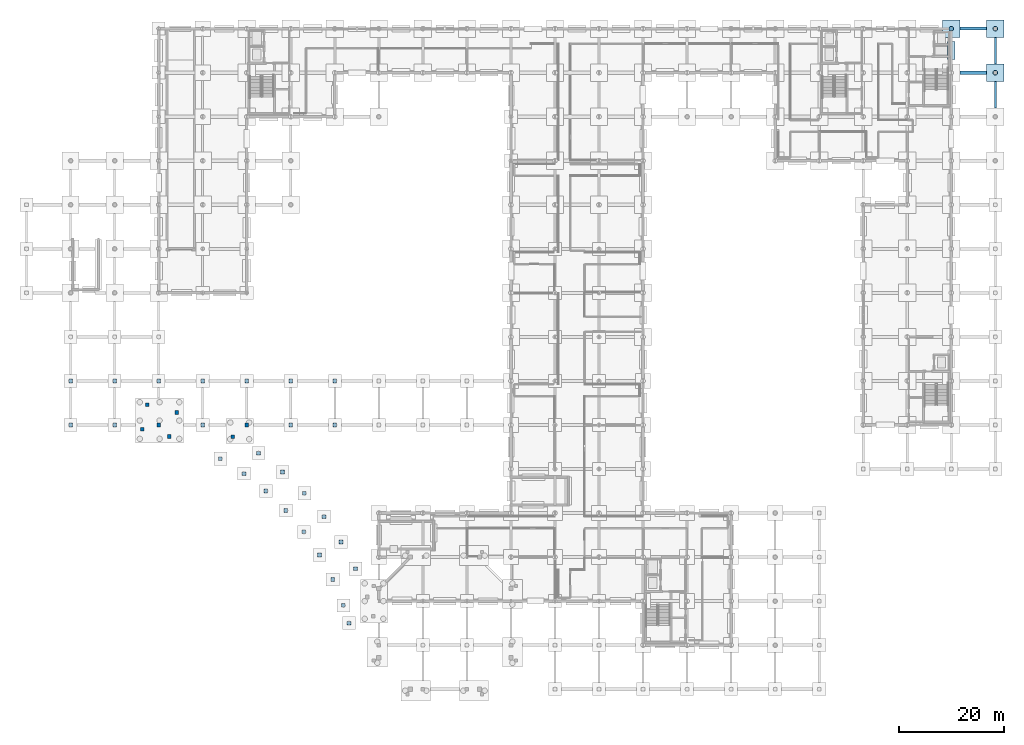
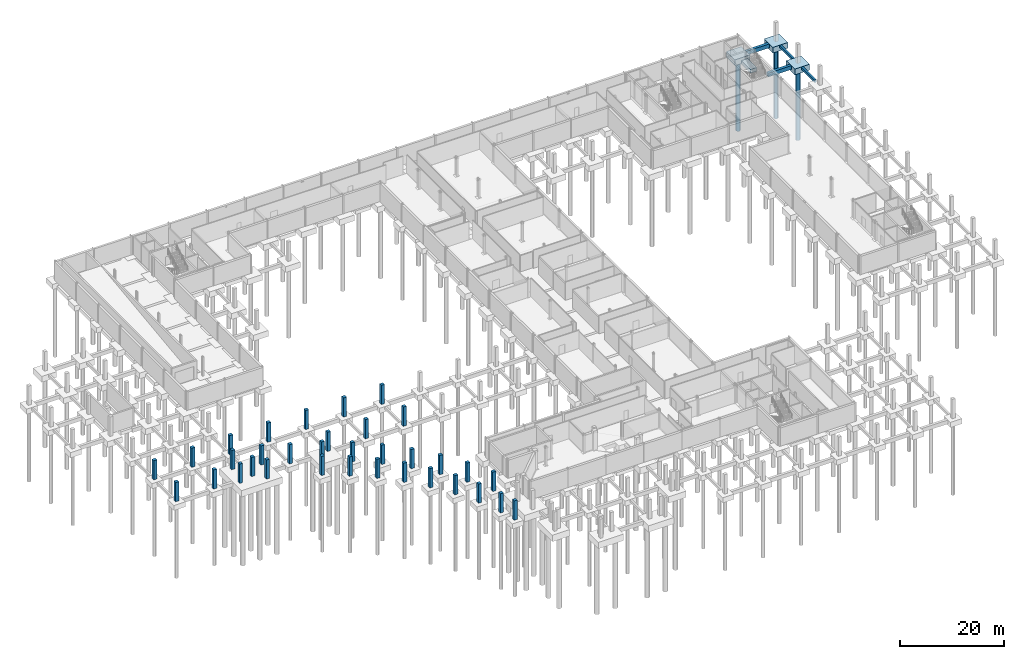
# One storey, part 8 of 43: 34 columns, 8 footings, 3 piles.
"""IFC4 building model written with IfcOpenShell, lengths in metres."""

from ifc_helpers import new_model, si_unit, direction, frame, origin, origin_2d, place, context, subcontext, project, spatial, rectangle, circle, extrude, material, layer, layer_set, material_profile, profile_set, type_object, element, save


model = new_model("IFC4")

# Units and contexts
model_context = context("Model", 3, precision=1e-05, world=origin(), true_north=direction((0.0, 1.0)))
body_context = subcontext(model_context, "Body", "Model", "MODEL_VIEW")
ifc_project = project(units=[si_unit("LENGTHUNIT", "METRE"), si_unit("AREAUNIT", "SQUARE_METRE"), si_unit("VOLUMEUNIT", "CUBIC_METRE"), si_unit("PLANEANGLEUNIT", "RADIAN"), si_unit("MASSUNIT", "GRAM", prefix="KILO")], contexts=[model_context])

# Site, building, storey
site_placement = place(None, origin())
site = spatial("IfcSite", under=ifc_project, at=site_placement, CompositionType="ELEMENT")
building_placement = place(site_placement, origin())
building = spatial("IfcBuilding", under=site, at=building_placement, Name="Mersafa Astral City Hall", CompositionType="ELEMENT")
storey_placement = place(building_placement, frame((0.0, 0.0, -4.5)))
storey = spatial("IfcBuildingStorey", under=building, at=storey_placement, Name="B1", CompositionType="ELEMENT", Elevation=-4.5)

# Footings
ifc_material = material(Name="Concrete C40/50", Category="concrete")
ifc_layer_1 = layer(ifc_material, 1.35009765625, Name="Concrete C40/50")
ifc_layer_set_1 = layer_set([ifc_layer_1], Name="Concrete C40/50 — STR-FTG-PC-7-330X330X1350")
footing_type_1 = type_object("IfcFootingType", Name="STR-FTG-PC-7-330X330X1350", PredefinedType="PILE_CAP", material=ifc_layer_set_1)
for number, where, z_axis, x_axis, name in (
    (1, (184.800048828125, 117.60009765625, -1.35009765625), (0.0, 0.0, 1.0), (1.0, 0.0, 0.0), "Reinforced concrete pile cap 218"),
    (2, (176.39990234375, 126.0, -1.35009765625), (0.0, 0.0, 1.0), (1.0, 0.0, 0.0), "Reinforced concrete pile cap 237"),
    (3, (184.800048828125, 126.0, -1.35009765625), (0.0, 0.0, 1.0), (1.0, 0.0, 0.0), "Reinforced concrete pile cap 238"),
):
    element("IfcFooting", number, at=place(storey_placement, frame(where, z_axis=z_axis, x_axis=x_axis)), inside=storey, type_object=footing_type_1, Name=name, PredefinedType="PILE_CAP", context=body_context, shape_type="SweptSolid", body=[
        extrude(rectangle(XDim=3.300048828125, YDim=3.300048828125, at=origin_2d()), origin(), (0.0, 0.0, 1.0), 1.35009765625),
    ])
ifc_layer_2 = layer(ifc_material, 0.85009765625, Name="Concrete C40/50")
ifc_layer_set_2 = layer_set([ifc_layer_2], Name="Concrete C40/50 — STR-FTG-STRIP-3")
footing_type_2 = type_object("IfcFootingType", Name="STR-FTG-STRIP-3", PredefinedType="STRIP_FOOTING", material=ifc_layer_set_2)
footing_placement = place(storey_placement, frame((176.39990234375, 121.800048828125, -0.85009765625), z_axis=(0.0, 0.0, 1.0), x_axis=(0.0, -1.0, 0.0)))
element("IfcFooting", 4, at=footing_placement, inside=storey, type_object=footing_type_2, Name="Retaining wall strip footing 50", PredefinedType="STRIP_FOOTING", context=body_context, shape_type="SweptSolid", body=[
    extrude(rectangle(XDim=3.4599609375, YDim=1.39990234375, at=origin_2d()), origin(), (0.0, 0.0, 1.0), 0.85009765625),
])
ifc_material_profile_1 = material_profile(ifc_material, rectangle(XDim=0.39990234375, YDim=0.60009765625, at=origin_2d()), Name="RC 400x600")
ifc_profile_set_1 = profile_set([ifc_material_profile_1], Name="Concrete C40/50")
footing_type_3 = type_object("IfcFootingType", Name="STR-FTG-TIE-400X600", PredefinedType="FOOTING_BEAM", material=ifc_profile_set_1)
for number, where, z_axis, x_axis, name in (
    (5, (184.800048828125, 110.847900390625, -0.300048828125), (0.0, 1.0, 0.0), (-1.0, 0.0, 0.0), "Reinforced concrete ground tie beam 279"),
    (6, (184.800048828125, 119.248046875, -0.300048828125), (0.0, 1.0, 0.0), (-1.0, 0.0, 0.0), "Reinforced concrete ground tie beam 280"),
):
    element("IfcFooting", number, at=place(storey_placement, frame(where, z_axis=z_axis, x_axis=x_axis)), inside=storey, type_object=footing_type_3, Name=name, PredefinedType="FOOTING_BEAM", context=body_context, shape_type="SweptSolid", body=[
        extrude(rectangle(XDim=0.39990234375, YDim=0.60009765625, at=origin_2d()), origin(), (0.0, 0.0, 1.0), 5.10400390625),
    ])
ifc_material_profile_2 = material_profile(ifc_material, rectangle(XDim=0.60009765625, YDim=0.89990234375, at=origin_2d()), Name="RC 600x900")
ifc_profile_set_2 = profile_set([ifc_material_profile_2], Name="Concrete C40/50")
footing_type_4 = type_object("IfcFootingType", Name="STR-FTG-TIE-600X900", PredefinedType="FOOTING_BEAM", material=ifc_profile_set_2)
for number, where, z_axis, x_axis, name in (
    (7, (178.048095703125, 117.60009765625, -0.449951171875), (1.0, 0.0, 0.0), (0.0, 1.0, 0.0), "Reinforced concrete ground tie beam 269"),
    (8, (178.048095703125, 126.0, -0.449951171875), (1.0, 0.0, 0.0), (0.0, 1.0, 0.0), "Reinforced concrete ground tie beam 270"),
):
    element("IfcFooting", number, at=place(storey_placement, frame(where, z_axis=z_axis, x_axis=x_axis)), inside=storey, type_object=footing_type_4, Name=name, PredefinedType="FOOTING_BEAM", context=body_context, shape_type="SweptSolid", body=[
        extrude(rectangle(XDim=0.60009765625, YDim=0.89990234375, at=origin_2d()), origin(), (0.0, 0.0, 1.0), 5.10400390625),
    ])

# Piles
ifc_material_profile_3 = material_profile(ifc_material, circle(Radius=0.449951171875, at=origin_2d()), Name="PILE D900")
ifc_profile_set_3 = profile_set([ifc_material_profile_3], Name="Concrete C40/50")
pile_type = type_object("IfcPileType", Name="STR-PILE-D900", PredefinedType="BORED", material=ifc_profile_set_3)
for number, where, z_axis, x_axis, name in (
    (9, (184.800048828125, 117.60009765625, -1.199951171875), (0.0, 0.0, -1.0), (1.0, 0.0, 0.0), "Bored concrete pile 241"),
    (10, (176.39990234375, 126.0, -1.199951171875), (0.0, 0.0, -1.0), (1.0, 0.0, 0.0), "Bored concrete pile 260"),
    (11, (184.800048828125, 126.0, -1.199951171875), (0.0, 0.0, -1.0), (1.0, 0.0, 0.0), "Bored concrete pile 261"),
):
    element("IfcPile", number, at=place(storey_placement, frame(where, z_axis=z_axis, x_axis=x_axis)), inside=storey, type_object=pile_type, Name=name, PredefinedType="BORED", context=body_context, shape_type="SweptSolid", body=[
        extrude(circle(Radius=0.449951171875, at=origin_2d()), origin(), (0.0, 0.0, 1.0), 16.800048828125),
    ])

# Columns
ifc_material_profile_4 = material_profile(ifc_material, rectangle(XDim=0.699951171875, YDim=0.699951171875, at=origin_2d()), Name="RC 700x700")
ifc_profile_set_4 = profile_set([ifc_material_profile_4], Name="Concrete C40/50")
column_type = type_object("IfcColumnType", Name="STR-COL-RC700", PredefinedType="COLUMN", material=ifc_profile_set_4)
for number, where, z_axis, x_axis, name in (
    (12, (8.39990234375, 50.39990234375, 0.0), (0.0, 0.0, 1.0), (1.0, 0.0, 0.0), "B1 Structural column G-01-06"),
    (13, (8.39990234375, 58.800048828125, 0.0), (0.0, 0.0, 1.0), (1.0, 0.0, 0.0), "B1 Structural column G-01-07"),
    (14, (16.800048828125, 50.39990234375, 0.0), (0.0, 0.0, 1.0), (1.0, 0.0, 0.0), "B1 Structural column G-02-06"),
    (15, (16.800048828125, 58.800048828125, 0.0), (0.0, 0.0, 1.0), (1.0, 0.0, 0.0), "B1 Structural column G-02-07"),
    (16, (25.199951171875, 50.39990234375, 0.0), (0.0, 0.0, 1.0), (1.0, 0.0, 0.0), "B1 Structural column G-03-06"),
    (17, (25.199951171875, 58.800048828125, 0.0), (0.0, 0.0, 1.0), (1.0, 0.0, 0.0), "B1 Structural column G-03-07"),
    (18, (33.60009765625, 50.39990234375, 0.0), (0.0, 0.0, 1.0), (1.0, 0.0, 0.0), "B1 Structural column G-04-06"),
    (19, (33.60009765625, 58.800048828125, 0.0), (0.0, 0.0, 1.0), (1.0, 0.0, 0.0), "B1 Structural column G-04-07"),
    (20, (42.0, 50.39990234375, 0.0), (0.0, 0.0, 1.0), (1.0, 0.0, 0.0), "B1 Structural column G-05-06"),
    (21, (42.0, 58.800048828125, 0.0), (0.0, 0.0, 1.0), (1.0, 0.0, 0.0), "B1 Structural column G-05-07"),
    (22, (50.39990234375, 50.39990234375, 0.0), (0.0, 0.0, 1.0), (1.0, 0.0, 0.0), "B1 Structural column G-06-06"),
    (23, (50.39990234375, 58.800048828125, 0.0), (0.0, 0.0, 1.0), (1.0, 0.0, 0.0), "B1 Structural column G-06-07"),
    (24, (58.800048828125, 50.39990234375, 0.0), (0.0, 0.0, 1.0), (1.0, 0.0, 0.0), "B1 Structural column G-07-06"),
    (25, (58.800048828125, 58.800048828125, 0.0), (0.0, 0.0, 1.0), (1.0, 0.0, 0.0), "B1 Structural column G-07-07"),
    (26, (22.06298828125, 49.57568359375, 0.0), (0.0, 0.0, 1.0), (1.0, 0.0, 0.0), "B1 Shaded Front Arcade outer pier ARCO-02"),
    (27, (23.047607421875, 54.273681640625, 0.0), (0.0, 0.0, 1.0), (1.0, 0.0, 0.0), "B1 Shaded Front Arcade inner column ARCI-02"),
    (28, (27.21435546875, 48.217529296875, 0.0), (0.0, 0.0, 1.0), (1.0, 0.0, 0.0), "B1 Shaded Front Arcade outer pier ARCO-03"),
    (29, (28.67431640625, 52.7900390625, 0.0), (0.0, 0.0, 1.0), (1.0, 0.0, 0.0), "B1 Shaded Front Arcade inner column ARCI-03"),
    (30, (36.96630859375, 43.9609375, 0.0), (0.0, 0.0, 1.0), (1.0, 0.0, 0.0), "B1 Shaded Front Arcade outer pier ARCO-05"),
    (31, (39.32666015625, 48.140380859375, 0.0), (0.0, 0.0, 1.0), (1.0, 0.0, 0.0), "B1 Shaded Front Arcade inner column ARCI-05"),
    (32, (41.46484375, 41.107177734375, 0.0), (0.0, 0.0, 1.0), (1.0, 0.0, 0.0), "B1 Shaded Front Arcade outer pier ARCO-06"),
    (33, (44.240234375, 45.0234375, 0.0), (0.0, 0.0, 1.0), (1.0, 0.0, 0.0), "B1 Shaded Front Arcade inner column ARCI-06"),
    (34, (45.647705078125, 37.808349609375, 0.0), (0.0, 0.0, 1.0), (1.0, 0.0, 0.0), "B1 Shaded Front Arcade outer pier ARCO-07"),
    (35, (48.809326171875, 41.419921875, 0.0), (0.0, 0.0, 1.0), (1.0, 0.0, 0.0), "B1 Shaded Front Arcade inner column ARCI-07"),
    (36, (49.47119140625, 34.0986328125, 0.0), (0.0, 0.0, 1.0), (1.0, 0.0, 0.0), "B1 Shaded Front Arcade outer pier ARCO-08"),
    (37, (52.985595703125, 37.367919921875, 0.0), (0.0, 0.0, 1.0), (1.0, 0.0, 0.0), "B1 Shaded Front Arcade inner column ARCI-08"),
    (38, (52.89501953125, 30.017333984375, 0.0), (0.0, 0.0, 1.0), (1.0, 0.0, 0.0), "B1 Shaded Front Arcade outer pier ARCO-09"),
    (39, (56.7255859375, 32.909912109375, 0.0), (0.0, 0.0, 1.0), (1.0, 0.0, 0.0), "B1 Shaded Front Arcade inner column ARCI-09"),
    (40, (55.88330078125, 25.607177734375, 0.0), (0.0, 0.0, 1.0), (1.0, 0.0, 0.0), "B1 Shaded Front Arcade outer pier ARCO-10"),
    (41, (59.98974609375, 28.0927734375, 0.0), (0.0, 0.0, 1.0), (1.0, 0.0, 0.0), "B1 Shaded Front Arcade inner column ARCI-10"),
    (42, (58.40478515625, 20.914306640625, 0.0), (0.0, 0.0, 1.0), (1.0, 0.0, 0.0), "B1 Shaded Front Arcade outer pier ARCO-11"),
    (43, (62.743896484375, 22.966796875, 0.0), (0.0, 0.0, 1.0), (1.0, 0.0, 0.0), "B1 Shaded Front Arcade inner column ARCI-11"),
    (44, (60.432861328125, 15.98828125, 0.0), (0.0, 0.0, 1.0), (1.0, 0.0, 0.0), "B1 Shaded Front Arcade outer pier ARCO-12"),
    (45, (61.5, 12.60009765625, 0.0), (0.0, 0.0, 1.0), (1.0, 0.0, 0.0), "B1 Shaded Front Arcade outer pier ARCO-13"),
):
    element("IfcColumn", number, at=place(storey_placement, frame(where, z_axis=z_axis, x_axis=x_axis)), inside=storey, type_object=column_type, Name=name, PredefinedType="COLUMN", context=body_context, shape_type="SweptSolid", body=[
        extrude(rectangle(XDim=0.699951171875, YDim=0.699951171875, at=origin_2d()), origin(), (0.0, 0.0, 1.0), 4.5),
    ])

save(model, "model.ifc")
